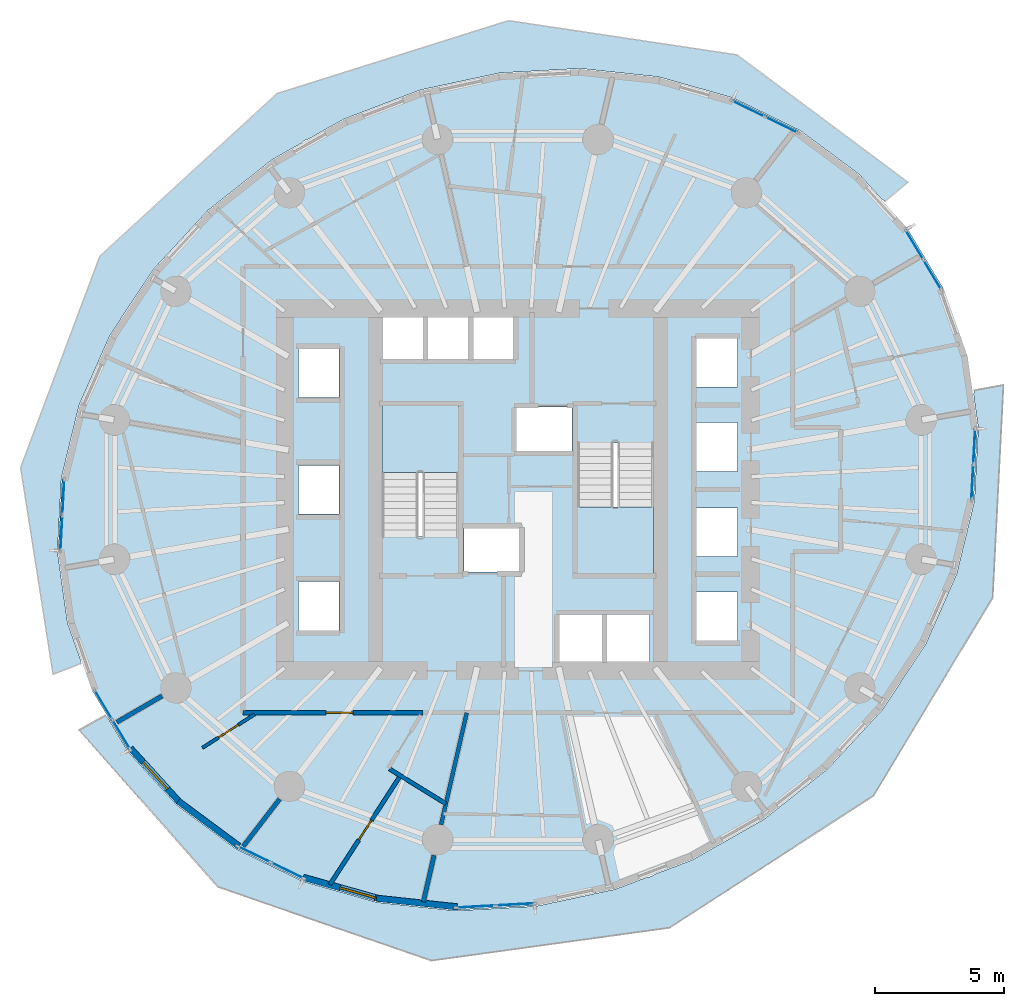
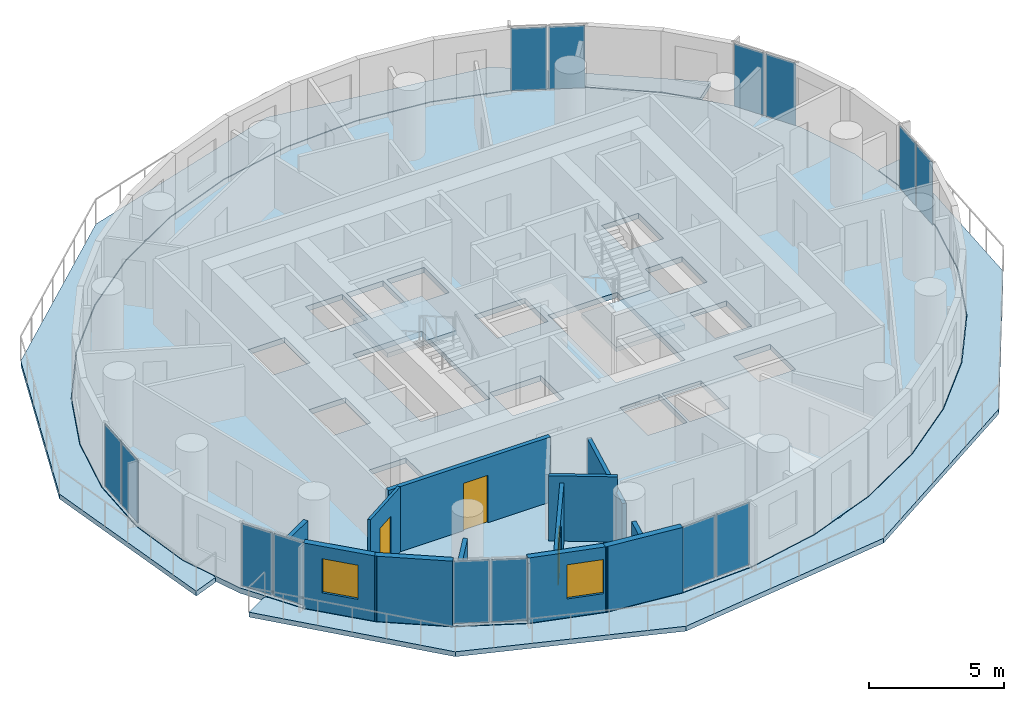
# One storey, part 6 of 15: 14 plates, 12 walls, 5 slabs, 3 doors, 2 windows, 5 openings, 9 elements without a shape of their own.
"""IFC4 building model written with IfcOpenShell, lengths in metres."""

from ifc_helpers import new_model, si_unit, direction, frame, frame_2d, origin, origin_2d, place, context, subcontext, project, spatial, polyline, rectangle, outline, extrude, material, layer, layer_set, type_object, element, fill, aggregate, save


model = new_model("IFC4")

# Units and contexts
model_context = context("Model", 3, precision=1e-05, world=origin(), true_north=direction((0.0, 1.0)))
body_context = subcontext(model_context, "Body", "Model", "MODEL_VIEW")
ifc_project = project(units=[si_unit("LENGTHUNIT", "METRE"), si_unit("AREAUNIT", "SQUARE_METRE"), si_unit("VOLUMEUNIT", "CUBIC_METRE"), si_unit("PLANEANGLEUNIT", "RADIAN"), si_unit("MASSUNIT", "GRAM", prefix="KILO")], contexts=[model_context])

# Site, building, storey
site_placement = place(None, origin())
site = spatial("IfcSite", under=ifc_project, at=site_placement, CompositionType="ELEMENT")
building_placement = place(site_placement, origin())
building = spatial("IfcBuilding", under=site, at=building_placement, Name="Veldorim Arch Residences", CompositionType="ELEMENT")
storey_placement = place(building_placement, frame((0.0, 0.0, 106.080078125)))
storey = spatial("IfcBuildingStorey", under=building, at=storey_placement, Name="L31", CompositionType="ELEMENT", Elevation=106.080078125)

# Slabs
ifc_material_1 = material(Name="Concrete C40/50", Category="concrete")
ifc_layer_1 = layer(ifc_material_1, 0.219970703125, Name="Planted Crescent Cantilever Balcony Slab 220")
ifc_layer_set_1 = layer_set([ifc_layer_1], Name="Concrete C40/50")
slab_type_1 = type_object("IfcSlabType", Name="Planted Crescent Cantilever Balcony Slab 220", PredefinedType="FLOOR", material=ifc_layer_set_1)
slab_1_placement = place(storey_placement, frame((0.0, 0.0, -0.219970703125)))
element("IfcSlab", 1, at=slab_1_placement, inside=storey, type_object=slab_type_1, Name="L31 planted crescent balcony slab A", PredefinedType="FLOOR", context=body_context, shape_type="SweptSolid", body=[
    extrude(outline(polyline([(46.057373046875, 35.239501953125), (45.190673828125, 36.190185546875), (42.910888671875, 37.880615234375), (40.2998046875, 39.149169921875), (37.436767578125, 39.957275390625), (34.408447265625, 40.280517578125), (31.307373046875, 40.109375), (28.227294921875, 39.44873046875), (25.261962890625, 38.319091796875), (23.923095703125, 37.56005859375), (23.7548828125, 37.504638671875), (23.631103515625, 37.39453125), (22.501220703125, 36.754150390625), (20.029052734375, 34.802001953125), (17.92041015625, 32.521728515625), (16.2392578125, 29.982421875), (15.036865234375, 27.26123046875), (14.35009765625, 24.44091796875), (14.19921875, 21.606689453125), (14.589599609375, 18.84521484375), (15.085205078125, 17.441650390625), (15.100830078125, 17.272705078125), (14.028564453125, 16.857177734375), (12.7744140625, 24.85107421875), (15.839111328125, 33.02880859375), (22.68603515625, 39.3125), (31.63671875, 42.13330078125), (40.476318359375, 40.808349609375), (47.08251953125, 35.884765625), (46.20166015625, 35.1455078125), (46.057373046875, 35.239501953125)])), origin(), (0.0, 0.0, 1.0), 0.219970703125),
])
slab_2_placement = place(storey_placement, frame((0.0, 0.0, -0.219970703125)))
element("IfcSlab", 2, at=slab_2_placement, inside=storey, type_object=slab_type_1, Name="L31 planted crescent balcony slab B", PredefinedType="FLOOR", context=body_context, shape_type="SweptSolid", body=[
    extrude(outline(polyline([(16.164794921875, 15.1474609375), (16.930419921875, 13.87109375), (18.809326171875, 11.809814453125), (21.089111328125, 10.119384765625), (23.7001953125, 8.850830078125), (26.563232421875, 8.042724609375), (29.591552734375, 7.719482421875), (32.692626953125, 7.890625), (35.772705078125, 8.55126953125), (36.986083984375, 9.013671875), (37.14990234375, 9.038818359375), (37.2998046875, 9.133056640625), (38.738037109375, 9.680908203125), (41.498779296875, 11.245849609375), (43.970947265625, 13.197998046875), (46.07958984375, 15.478271484375), (47.7607421875, 18.017578125), (48.963134765625, 20.73876953125), (49.64990234375, 23.55908203125), (49.80078125, 26.393310546875), (49.62060546875, 27.6669921875), (49.640380859375, 27.838134765625), (50.771484375, 28.045654296875), (50.35400390625, 19.81689453125), (45.740234375, 12.16162109375), (37.861572265625, 7.06298828125), (28.655517578125, 5.79248046875), (20.40087890625, 8.64404296875), (15.041015625, 14.705810546875), (16.044677734375, 15.26708984375), (16.164794921875, 15.1474609375)])), origin(), (0.0, 0.0, 1.0), 0.219970703125),
])

# Stair, slab
ifc_material_2 = material(Name="Concrete C40/50", Category="concrete")
stair_type = type_object("IfcStairType", Name="Reinforced Concrete Dogleg Exit Staircase", PredefinedType="HALF_TURN_STAIR", material=ifc_material_2)
stair_1_placement = place(storey_placement, origin())
stair_1 = element("IfcStair", 3, at=stair_1_placement, inside=storey, type_object=stair_type, Name="L31 Exit Staircase ST-1", PredefinedType="HALF_TURN_STAIR")
ifc_material_3 = material(Name="Concrete C40/50", Category="concrete")
ifc_layer_2 = layer(ifc_material_3, 0.199951171875, Name="Reinforced Concrete Stair Landing 200")
ifc_layer_set_2 = layer_set([ifc_layer_2], Name="Concrete C40/50")
slab_type_2 = type_object("IfcSlabType", Name="Reinforced Concrete Stair Landing 200", PredefinedType="LANDING", material=ifc_layer_set_2)
slab_3_placement = place(storey_placement, frame((0.0, 0.0, 1.39990234375)))
slab_3 = element("IfcSlab", 4, at=slab_3_placement, type_object=slab_type_2, Name="ST-1 landing 1", PredefinedType="LANDING", context=body_context, shape_type="SweptSolid", body=[
    extrude(outline(polyline([(29.7099609375, 24.669921875), (29.7099609375, 27.25), (26.75, 27.25), (26.75, 24.669921875), (29.7099609375, 24.669921875)])), origin(), (0.0, 0.0, 1.0), 0.199951171875),
])
aggregate(stair_1, [slab_3])

stair_2_placement = place(storey_placement, origin())
stair_2 = element("IfcStair", 5, at=stair_2_placement, inside=storey, type_object=stair_type, Name="L31 Exit Staircase ST-2", PredefinedType="HALF_TURN_STAIR")
slab_4_placement = place(storey_placement, frame((0.0, 0.0, 1.39990234375)))
slab_4 = element("IfcSlab", 6, at=slab_4_placement, type_object=slab_type_2, Name="ST-2 landing 1", PredefinedType="LANDING", context=body_context, shape_type="SweptSolid", body=[
    extrude(outline(polyline([(34.2900390625, 23.330078125), (34.2900390625, 20.75), (37.25, 20.75), (37.25, 23.330078125), (34.2900390625, 23.330078125)])), origin(), (0.0, 0.0, 1.0), 0.199951171875),
])
aggregate(stair_2, [slab_4])

# Slab
ifc_material_4 = material(Name="Concrete C40/50", Category="concrete")
ifc_layer_3 = layer(ifc_material_4, 0.239990234375, Name="Typical Residential Floor Slab 240")
ifc_layer_set_3 = layer_set([ifc_layer_3], Name="Concrete C40/50")
slab_type_3 = type_object("IfcSlabType", Name="Typical Residential Floor Slab 240", PredefinedType="FLOOR", material=ifc_layer_set_3)
slab_5_placement = place(storey_placement, frame((0.0, 0.0, -0.239990234375)))
element("IfcSlab", 7, at=slab_5_placement, inside=storey, type_object=slab_type_3, Name="L31 tower structural floor slab", PredefinedType="FLOOR", context=body_context, shape_type="SweptSolid", body=[
    extrude(outline(polyline([(48.468017578125, 31.749267578125), (47.049560546875, 34.114013671875), (45.173828125, 36.17138671875), (42.89794921875, 37.859130859375), (40.291015625, 39.125732421875), (37.431884765625, 39.9326171875), (34.407958984375, 40.255615234375), (31.310791015625, 40.08447265625), (28.234619140625, 39.4248046875), (25.272705078125, 38.29638671875), (22.515380859375, 36.7333984375), (20.046142578125, 34.78369140625), (17.940185546875, 32.50634765625), (16.26123046875, 29.970458984375), (15.060791015625, 27.253173828125), (14.374755859375, 24.43701171875), (14.224365234375, 21.60791015625), (14.614013671875, 18.85107421875), (15.531982421875, 16.250732421875), (16.950439453125, 13.885986328125), (18.826171875, 11.82861328125), (21.10205078125, 10.140869140625), (23.708984375, 8.874267578125), (26.568115234375, 8.0673828125), (29.592041015625, 7.744384765625), (32.689208984375, 7.91552734375), (35.765380859375, 8.5751953125), (38.727294921875, 9.70361328125), (41.484619140625, 11.2666015625), (43.953857421875, 13.21630859375), (46.059814453125, 15.49365234375), (47.73876953125, 18.029541015625), (48.939208984375, 20.746826171875), (49.625244140625, 23.56298828125), (49.775634765625, 26.39208984375), (49.385986328125, 29.14892578125), (48.468017578125, 31.749267578125)]), holes=[polyline([(23.510009765625, 20.43994140625), (25.090087890625, 20.43994140625), (25.090087890625, 18.56005859375), (23.510009765625, 18.56005859375), (23.510009765625, 20.43994140625)]), polyline([(29.909912109375, 22.544921875), (32.090087890625, 22.544921875), (32.090087890625, 20.81494140625), (29.909912109375, 20.81494140625), (29.909912109375, 22.544921875)]), polyline([(23.510009765625, 24.93994140625), (25.090087890625, 24.93994140625), (25.090087890625, 23.06005859375), (23.510009765625, 23.06005859375), (23.510009765625, 24.93994140625)]), polyline([(26.75, 27.25), (29.7099609375, 27.25), (29.7099609375, 22.195068359375), (26.75, 22.195068359375), (26.75, 27.25)]), polyline([(23.510009765625, 29.43994140625), (25.090087890625, 29.43994140625), (25.090087890625, 27.56005859375), (23.510009765625, 27.56005859375), (23.510009765625, 29.43994140625)]), polyline([(26.760009765625, 30.7900390625), (28.340087890625, 30.7900390625), (28.340087890625, 28.909912109375), (26.760009765625, 28.909912109375), (26.760009765625, 30.7900390625)]), polyline([(28.510009765625, 30.7900390625), (30.090087890625, 30.7900390625), (30.090087890625, 28.909912109375), (28.510009765625, 28.909912109375), (28.510009765625, 30.7900390625)]), polyline([(30.260009765625, 30.7900390625), (31.840087890625, 30.7900390625), (31.840087890625, 28.909912109375), (30.260009765625, 28.909912109375), (30.260009765625, 30.7900390625)]), polyline([(33.610107421875, 19.2900390625), (35.2900390625, 19.2900390625), (35.2900390625, 17.2099609375), (33.610107421875, 17.2099609375), (33.610107421875, 19.2900390625)]), polyline([(35.409912109375, 19.2900390625), (37.090087890625, 19.2900390625), (37.090087890625, 17.2099609375), (35.409912109375, 17.2099609375), (35.409912109375, 19.2900390625)]), polyline([(38.909912109375, 20.0400390625), (40.489990234375, 20.0400390625), (40.489990234375, 18.159912109375), (38.909912109375, 18.159912109375), (38.909912109375, 20.0400390625)]), polyline([(38.909912109375, 23.2900390625), (40.489990234375, 23.2900390625), (40.489990234375, 21.409912109375), (38.909912109375, 21.409912109375), (38.909912109375, 23.2900390625)]), polyline([(34.2900390625, 25.804931640625), (37.25, 25.804931640625), (37.25, 20.75), (34.2900390625, 20.75), (34.2900390625, 25.804931640625)]), polyline([(38.909912109375, 26.590087890625), (40.489990234375, 26.590087890625), (40.489990234375, 24.7099609375), (38.909912109375, 24.7099609375), (38.909912109375, 26.590087890625)]), polyline([(31.909912109375, 27.18505859375), (34.090087890625, 27.18505859375), (34.090087890625, 25.455078125), (31.909912109375, 25.455078125), (31.909912109375, 27.18505859375)]), polyline([(38.909912109375, 29.840087890625), (40.489990234375, 29.840087890625), (40.489990234375, 27.9599609375), (38.909912109375, 27.9599609375), (38.909912109375, 29.840087890625)])]), origin(), (0.0, 0.0, 1.0), 0.239990234375),
])

# Curtain wall, plates
ifc_material_5 = material(Name="Aluminium", Category="aluminium")
curtain_wall_type = type_object("IfcCurtainWallType", Name="Zone 2 Solar-Control Unitised Curtain Wall", PredefinedType="NOTDEFINED", material=ifc_material_5)
curtain_wall_1_placement = place(storey_placement, origin())
curtain_wall_1 = element("IfcCurtainWall", 8, at=curtain_wall_1_placement, inside=storey, type_object=curtain_wall_type, Name="L31 unitised curtain wall bay 01", PredefinedType="NOTDEFINED")
ifc_material_6 = material(Name="Laminated Low-E Glass", Category="glass")
ifc_layer_4 = layer(ifc_material_6, 0.02587890625, Name="Zone 2 Solar-Control Unitised Curtain Wall Glazing Panel 26")
ifc_layer_set_4 = layer_set([ifc_layer_4], Name="Laminated Low-E Glass")
plate_type = type_object("IfcPlateType", Name="Zone 2 Solar-Control Unitised Curtain Wall Glazing Panel 26", PredefinedType="CURTAIN_PANEL", material=ifc_layer_set_4)
plate_1_placement = place(storey_placement, frame((47.335205078125, 33.462646484375, 0.06494140625), z_axis=(0.0, 0.0, 1.0), x_axis=(0.514367759315, -0.85756971039, 0.0)))
plate_1 = element("IfcPlate", 9, at=plate_1_placement, type_object=plate_type, Name="CW-Z2 panel 1.1", PredefinedType="CURTAIN_PANEL", context=body_context, shape_type="SweptSolid", body=[
    extrude(rectangle(XDim=1.28125, YDim=0.02587890625, at=origin_2d()), origin(), (0.0, 0.0, 1.0), 2.830078125),
])
plate_2_placement = place(storey_placement, frame((48.02783203125, 32.30810546875, 0.06494140625), z_axis=(0.0, 0.0, 1.0), x_axis=(0.514367759315, -0.85756971039, 0.0)))
plate_2 = element("IfcPlate", 10, at=plate_2_placement, type_object=plate_type, Name="CW-Z2 panel 2.1", PredefinedType="CURTAIN_PANEL", context=body_context, shape_type="SweptSolid", body=[
    extrude(rectangle(XDim=1.28125, YDim=0.02587890625, at=origin_2d()), origin(), (0.0, 0.0, 1.0), 2.830078125),
])
aggregate(curtain_wall_1, [plate_1, plate_2])

curtain_wall_2_placement = place(storey_placement, origin())
curtain_wall_2 = element("IfcCurtainWall", 11, at=curtain_wall_2_placement, inside=storey, type_object=curtain_wall_type, Name="L31 unitised curtain wall bay 04", PredefinedType="NOTDEFINED")
plate_3_placement = place(storey_placement, frame((40.91796875, 38.720947265625, 0.06494140625), z_axis=(0.0, 0.0, 1.0), x_axis=(0.899461664946, -0.436999671959, 0.0)))
plate_3 = element("IfcPlate", 12, at=plate_3_placement, type_object=plate_type, Name="CW-Z2 panel 1.1", PredefinedType="CURTAIN_PANEL", context=body_context, shape_type="SweptSolid", body=[
    extrude(rectangle(XDim=1.351806640625, YDim=0.02587890625, at=origin_2d()), origin(), (0.0, 0.0, 1.0), 2.830078125),
])
plate_4_placement = place(storey_placement, frame((42.192138671875, 38.101806640625, 0.06494140625), z_axis=(0.0, 0.0, 1.0), x_axis=(0.899461664946, -0.436999671959, 0.0)))
plate_4 = element("IfcPlate", 13, at=plate_4_placement, type_object=plate_type, Name="CW-Z2 panel 2.1", PredefinedType="CURTAIN_PANEL", context=body_context, shape_type="SweptSolid", body=[
    extrude(rectangle(XDim=1.351806640625, YDim=0.02587890625, at=origin_2d()), origin(), (0.0, 0.0, 1.0), 2.830078125),
])
aggregate(curtain_wall_2, [plate_3, plate_4])

curtain_wall_3_placement = place(storey_placement, origin())
curtain_wall_3 = element("IfcCurtainWall", 14, at=curtain_wall_3_placement, inside=storey, type_object=curtain_wall_type, Name="L31 unitised curtain wall bay 16", PredefinedType="NOTDEFINED")
plate_5_placement = place(storey_placement, frame((14.352783203125, 22.32666015625, 0.06494140625), z_axis=(0.0, 0.0, 1.0), x_axis=(0.053083077429, 0.998590099536, 0.0)))
plate_5 = element("IfcPlate", 15, at=plate_5_placement, type_object=plate_type, Name="CW-Z2 panel 1.1", PredefinedType="CURTAIN_PANEL", context=body_context, shape_type="SweptSolid", body=[
    extrude(rectangle(XDim=1.319091796875, YDim=0.02587890625, at=origin_2d()), origin(), (0.0, 0.0, 1.0), 2.830078125),
])
plate_6_placement = place(storey_placement, frame((14.42626953125, 23.708740234375, 0.06494140625), z_axis=(0.0, 0.0, 1.0), x_axis=(0.053083077429, 0.998590099536, 0.0)))
plate_6 = element("IfcPlate", 16, at=plate_6_placement, type_object=plate_type, Name="CW-Z2 panel 2.1", PredefinedType="CURTAIN_PANEL", context=body_context, shape_type="SweptSolid", body=[
    extrude(rectangle(XDim=1.319091796875, YDim=0.02587890625, at=origin_2d()), origin(), (0.0, 0.0, 1.0), 2.830078125),
])
aggregate(curtain_wall_3, [plate_5, plate_6])

curtain_wall_4_placement = place(storey_placement, origin())
curtain_wall_4 = element("IfcCurtainWall", 17, at=curtain_wall_4_placement, inside=storey, type_object=curtain_wall_type, Name="L31 unitised curtain wall bay 19", PredefinedType="NOTDEFINED")
plate_7_placement = place(storey_placement, frame((16.664794921875, 14.537353515625, 0.06494140625), z_axis=(0.0, 0.0, 1.0), x_axis=(-0.514367759315, 0.85756971039, 0.0)))
plate_7 = element("IfcPlate", 18, at=plate_7_placement, type_object=plate_type, Name="CW-Z2 panel 1.1", PredefinedType="CURTAIN_PANEL", context=body_context, shape_type="SweptSolid", body=[
    extrude(rectangle(XDim=1.28125, YDim=0.02587890625, at=origin_2d()), origin(), (0.0, 0.0, 1.0), 2.830078125),
])
plate_8_placement = place(storey_placement, frame((15.97216796875, 15.69189453125, 0.06494140625), z_axis=(0.0, 0.0, 1.0), x_axis=(-0.514367759315, 0.85756971039, 0.0)))
plate_8 = element("IfcPlate", 19, at=plate_8_placement, type_object=plate_type, Name="CW-Z2 panel 2.1", PredefinedType="CURTAIN_PANEL", context=body_context, shape_type="SweptSolid", body=[
    extrude(rectangle(XDim=1.28125, YDim=0.02587890625, at=origin_2d()), origin(), (0.0, 0.0, 1.0), 2.830078125),
])
aggregate(curtain_wall_4, [plate_7, plate_8])

curtain_wall_5_placement = place(storey_placement, origin())
curtain_wall_5 = element("IfcCurtainWall", 20, at=curtain_wall_5_placement, inside=storey, type_object=curtain_wall_type, Name="L31 unitised curtain wall bay 22", PredefinedType="NOTDEFINED")
plate_9_placement = place(storey_placement, frame((23.08203125, 9.279052734375, 0.06494140625), z_axis=(0.0, 0.0, 1.0), x_axis=(-0.899461664946, 0.436999671959, 0.0)))
plate_9 = element("IfcPlate", 21, at=plate_9_placement, type_object=plate_type, Name="CW-Z2 panel 1.1", PredefinedType="CURTAIN_PANEL", context=body_context, shape_type="SweptSolid", body=[
    extrude(rectangle(XDim=1.351806640625, YDim=0.02587890625, at=origin_2d()), origin(), (0.0, 0.0, 1.0), 2.830078125),
])
plate_10_placement = place(storey_placement, frame((21.807861328125, 9.898193359375, 0.06494140625), z_axis=(0.0, 0.0, 1.0), x_axis=(-0.899461664946, 0.436999671959, 0.0)))
plate_10 = element("IfcPlate", 22, at=plate_10_placement, type_object=plate_type, Name="CW-Z2 panel 2.1", PredefinedType="CURTAIN_PANEL", context=body_context, shape_type="SweptSolid", body=[
    extrude(rectangle(XDim=1.351806640625, YDim=0.02587890625, at=origin_2d()), origin(), (0.0, 0.0, 1.0), 2.830078125),
])
aggregate(curtain_wall_5, [plate_9, plate_10])

curtain_wall_6_placement = place(storey_placement, origin())
curtain_wall_6 = element("IfcCurtainWall", 23, at=curtain_wall_6_placement, inside=storey, type_object=curtain_wall_type, Name="L31 unitised curtain wall bay 25", PredefinedType="NOTDEFINED")
plate_11_placement = place(storey_placement, frame((31.893798828125, 7.961669921875, 0.06494140625), z_axis=(0.0, 0.0, 1.0), x_axis=(-0.998479339649, -0.055127201045, 0.0)))
plate_11 = element("IfcPlate", 24, at=plate_11_placement, type_object=plate_type, Name="CW-Z2 panel 1.1", PredefinedType="CURTAIN_PANEL", context=body_context, shape_type="SweptSolid", body=[
    extrude(rectangle(XDim=1.453369140625, YDim=0.02587890625, at=origin_2d()), origin(), (0.0, 0.0, 1.0), 2.830078125),
])
plate_12_placement = place(storey_placement, frame((30.377685546875, 7.8779296875, 0.06494140625), z_axis=(0.0, 0.0, 1.0), x_axis=(-0.998479339649, -0.055127201045, 0.0)))
plate_12 = element("IfcPlate", 25, at=plate_12_placement, type_object=plate_type, Name="CW-Z2 panel 2.1", PredefinedType="CURTAIN_PANEL", context=body_context, shape_type="SweptSolid", body=[
    extrude(rectangle(XDim=1.453369140625, YDim=0.02587890625, at=origin_2d()), origin(), (0.0, 0.0, 1.0), 2.830078125),
])
aggregate(curtain_wall_6, [plate_11, plate_12])

curtain_wall_7_placement = place(storey_placement, origin())
curtain_wall_7 = element("IfcCurtainWall", 26, at=curtain_wall_7_placement, inside=storey, type_object=curtain_wall_type, Name="L31 unitised curtain wall bay 34", PredefinedType="NOTDEFINED")
plate_13_placement = place(storey_placement, frame((49.647216796875, 25.67333984375, 0.06494140625), z_axis=(0.0, 0.0, 1.0), x_axis=(-0.053083077429, -0.998590099536, 0.0)))
plate_13 = element("IfcPlate", 27, at=plate_13_placement, type_object=plate_type, Name="CW-Z2 panel 1.1", PredefinedType="CURTAIN_PANEL", context=body_context, shape_type="SweptSolid", body=[
    extrude(rectangle(XDim=1.319091796875, YDim=0.02587890625, at=origin_2d()), origin(), (0.0, 0.0, 1.0), 2.830078125),
])
plate_14_placement = place(storey_placement, frame((49.57373046875, 24.291259765625, 0.06494140625), z_axis=(0.0, 0.0, 1.0), x_axis=(-0.053083077429, -0.998590099536, 0.0)))
plate_14 = element("IfcPlate", 28, at=plate_14_placement, type_object=plate_type, Name="CW-Z2 panel 2.1", PredefinedType="CURTAIN_PANEL", context=body_context, shape_type="SweptSolid", body=[
    extrude(rectangle(XDim=1.319091796875, YDim=0.02587890625, at=origin_2d()), origin(), (0.0, 0.0, 1.0), 2.830078125),
])
aggregate(curtain_wall_7, [plate_13, plate_14])

# Wall, opening, door
ifc_material_7 = material(Name="Acoustic Gypsum Board", Category="gypsum")
ifc_layer_5 = layer(ifc_material_7, 0.125, Name="Acoustic Stud Room Partition Wall 125")
ifc_layer_set_5 = layer_set([ifc_layer_5], Name="Acoustic Gypsum Board")
wall_type_1 = type_object("IfcWallType", Name="Acoustic Stud Room Partition Wall 125", PredefinedType="PARTITIONING", material=ifc_layer_set_5)
wall_1_placement = place(storey_placement, frame((19.80224609375, 14.01416015625, 0.0), z_axis=(0.0, 0.0, 1.0), x_axis=(0.841349696578, 0.540491154477, 0.0)))
wall_1 = element("IfcWall", 29, at=wall_1_placement, inside=storey, type_object=wall_type_1, Name="L31 interior wall WL-RES-L31-033", PredefinedType="PARTITIONING", context=body_context, shape_type="SweptSolid", body=[
    extrude(rectangle(XDim=2.408447265625, YDim=0.125, at=frame_2d((1.2041015625, 0.0))), origin(), (0.0, 0.0, 1.0), 2.954833984375),
])
opening_1_placement = place(wall_1_placement, frame((0.754150390625, 0.0, 0.0)))
opening_1 = element("IfcOpeningElement", 30, at=opening_1_placement, cuts=wall_1, Name="Opening DR-INT", PredefinedType="OPENING", context=body_context, shape_type="SweptSolid", body=[
    extrude(rectangle(XDim=0.89990234375, YDim=2.10009765625, at=frame_2d((0.449951171875, 1.050048828125))), frame((0.0, 0.072509765625, 0.0), z_axis=(0.0, -1.0, 0.0), x_axis=(1.0, 0.0, 0.0)), (0.0, 0.0, 1.0), 0.14501953125),
])
ifc_material_8 = material(Name="Engineered Timber", Category="wood")
door_type_1 = type_object("IfcDoorType", Name="Apartment Internal Room Timber Door 900x2100", OperationType="SINGLE_SWING_LEFT", PredefinedType="DOOR", material=ifc_material_8)
door_1_placement = place(opening_1_placement, origin())
door_1 = element("IfcDoor", 31, at=door_1_placement, inside=storey, type_object=door_type_1, Name="L31 interior door DR-RES-L31-021", OperationType="SINGLE_SWING_LEFT", OverallHeight=2.10009765625, OverallWidth=0.89990234375, PredefinedType="DOOR", context=body_context, shape_type="SweptSolid", body=[
    extrude(rectangle(XDim=0.89990234375, YDim=2.10009765625, at=frame_2d((0.449951171875, 1.050048828125))), frame((0.0, 0.02490234375, 0.0), z_axis=(0.0, -1.0, 0.0), x_axis=(1.0, 0.0, 0.0)), (0.0, 0.0, 1.0), 0.050048828125),
])
fill(opening_1, door_1)

# Walls
ifc_material_9 = material(Name="Lightweight Masonry Block & Gypsum", Category="masonry")
ifc_layer_6 = layer(ifc_material_9, 0.179931640625, Name="Compartment & Corridor Fire-Rated Party Wall 180")
ifc_layer_set_6 = layer_set([ifc_layer_6], Name="Lightweight Masonry Block & Gypsum")
wall_type_2 = type_object("IfcWallType", Name="Compartment & Corridor Fire-Rated Party Wall 180", PredefinedType="PARTITIONING", material=ifc_layer_set_6)
wall_2_placement = place(storey_placement, frame((18.243408203125, 16.022216796875, 0.0), z_axis=(0.0, 0.0, 1.0), x_axis=(-0.865046864493, -0.501691062539, 0.0)))
element("IfcWall", 32, at=wall_2_placement, inside=storey, type_object=wall_type_2, Name="L31 interior wall WL-PIER-L31-10", PredefinedType="PARTITIONING", context=body_context, shape_type="SweptSolid", body=[
    extrude(rectangle(XDim=2.02783203125, YDim=0.179931640625, at=frame_2d((1.013916015625, 0.0))), origin(), (0.0, 0.0, 1.0), 2.260498046875),
])
wall_3_placement = place(storey_placement, frame((22.7880859375, 12.034423828125, 0.0), z_axis=(0.0, 0.0, 1.0), x_axis=(-0.610007255548, -0.792395827967, 0.0)))
element("IfcWall", 33, at=wall_3_placement, inside=storey, type_object=wall_type_2, Name="L31 interior wall WL-PIER-L31-11", PredefinedType="PARTITIONING", context=body_context, shape_type="SweptSolid", body=[
    extrude(rectangle(XDim=2.3076171875, YDim=0.179931640625, at=frame_2d((1.15380859375, 0.0))), origin(), (0.0, 0.0, 1.0), 2.260498046875),
])
wall_4_placement = place(storey_placement, frame((28.759521484375, 9.86083984375, 0.0), z_axis=(0.0, 0.0, 1.0), x_axis=(-0.2234127464, -0.974723932581, 0.0)))
element("IfcWall", 34, at=wall_4_placement, inside=storey, type_object=wall_type_2, Name="L31 interior wall WL-PIER-L31-12", PredefinedType="PARTITIONING", context=body_context, shape_type="SweptSolid", body=[
    extrude(rectangle(XDim=1.848876953125, YDim=0.179931640625, at=frame_2d((0.92431640625, 0.0))), origin(), (0.0, 0.0, 1.0), 2.260498046875),
])

# Wall, opening, door
wall_5_placement = place(storey_placement, frame((28.3251953125, 15.3701171875, 0.0), z_axis=(0.0, 0.0, 1.0), x_axis=(-1.0, 0.0, 0.0)))
wall_5 = element("IfcWall", 35, at=wall_5_placement, inside=storey, type_object=wall_type_2, Name="L31 interior wall WL-RES-L31-010", PredefinedType="PARTITIONING", context=body_context, shape_type="SweptSolid", body=[
    extrude(rectangle(XDim=6.955078125, YDim=0.179931640625, at=frame_2d((3.4775390625, 0.0))), origin(), (0.0, 0.0, 1.0), 2.954833984375),
])
opening_2_placement = place(wall_5_placement, frame((2.69970703125, 0.0, 0.0)))
opening_2 = element("IfcOpeningElement", 36, at=opening_2_placement, cuts=wall_5, Name="Opening DR-FLT", PredefinedType="OPENING", context=body_context, shape_type="SweptSolid", body=[
    extrude(rectangle(XDim=1.050048828125, YDim=2.14990234375, at=frame_2d((0.52490234375, 1.074951171875))), frame((0.0, 0.099853515625, 0.0), z_axis=(0.0, -1.0, 0.0), x_axis=(1.0, 0.0, 0.0)), (0.0, 0.0, 1.0), 0.199951171875),
])
ifc_material_10 = material(Name="Fire-Rated Timber", Category="wood")
door_type_2 = type_object("IfcDoorType", Name="Apartment Entrance Solid-Core Fire Door 1050x2150", OperationType="SINGLE_SWING_LEFT", PredefinedType="DOOR", material=ifc_material_10)
door_2_placement = place(opening_2_placement, origin())
door_2 = element("IfcDoor", 37, at=door_2_placement, inside=storey, type_object=door_type_2, Name="L31 interior door DR-RES-L31-019", OperationType="SINGLE_SWING_LEFT", OverallHeight=2.14990234375, OverallWidth=1.050048828125, PredefinedType="DOOR", context=body_context, shape_type="SweptSolid", body=[
    extrude(rectangle(XDim=1.050048828125, YDim=2.14990234375, at=frame_2d((0.52490234375, 1.074951171875))), frame((0.0, 0.02490234375, 0.0), z_axis=(0.0, -1.0, 0.0), x_axis=(1.0, 0.0, 0.0)), (0.0, 0.0, 1.0), 0.050048828125),
])
fill(opening_2, door_2)

# Wall, opening, window
ifc_material_11 = material(Name="Precast concrete C40/50", Category="concrete")
ifc_layer_7 = layer(ifc_material_11, 0.25, Name="Tower Terracotta Spandrel & Pier Wall 250")
ifc_layer_set_7 = layer_set([ifc_layer_7], Name="Precast concrete C40/50")
wall_type_3 = type_object("IfcWallType", Name="Tower Terracotta Spandrel & Pier Wall 250", PredefinedType="SOLIDWALL", material=ifc_layer_set_7)
wall_6_placement = place(storey_placement, frame((18.948974609375, 11.87939453125, 0.0), z_axis=(0.0, 0.0, 1.0), x_axis=(-0.673691100196, 0.739013059098, 0.0)))
wall_6 = element("IfcWall", 38, at=wall_6_placement, inside=storey, type_object=wall_type_3, Name="L31 terracotta facade wall 20", PredefinedType="SOLIDWALL", context=body_context, shape_type="SweptSolid", body=[
    extrude(rectangle(XDim=2.8740234375, YDim=0.25, at=frame_2d((1.43701171875, 0.0))), origin(), (0.0, 0.0, 1.0), 2.9599609375),
])
opening_3_placement = place(wall_6_placement, frame((0.737060546875, 0.0, 0.85009765625)))
opening_3 = element("IfcOpeningElement", 39, at=opening_3_placement, cuts=wall_6, Name="Opening WN-02", PredefinedType="OPENING", context=body_context, shape_type="SweptSolid", body=[
    extrude(rectangle(XDim=1.39990234375, YDim=1.550048828125, at=frame_2d((0.699951171875, 0.77490234375))), frame((0.0, 0.135009765625, 0.0), z_axis=(0.0, -1.0, 0.0), x_axis=(1.0, 0.0, 0.0)), (0.0, 0.0, 1.0), 0.27001953125),
])
ifc_material_12 = material(Name="Laminated Low-E Glass", Category="glass")
window_type = type_object("IfcWindowType", Name="Residential Casement Window 1400x1550", PartitioningType="SINGLE_PANEL", PredefinedType="WINDOW", material=ifc_material_12)
window_1_placement = place(opening_3_placement, origin())
window_1 = element("IfcWindow", 40, at=window_1_placement, inside=storey, type_object=window_type, Name="L31 solar-control facade window 20", OverallHeight=1.550048828125, OverallWidth=1.39990234375, PartitioningType="SINGLE_PANEL", PredefinedType="WINDOW", context=body_context, shape_type="SweptSolid", body=[
    extrude(rectangle(XDim=1.39990234375, YDim=1.550048828125, at=frame_2d((0.699951171875, 0.77490234375))), frame((0.0, 0.030029296875, 0.0), z_axis=(0.0, -1.0, 0.0), x_axis=(1.0, 0.0, 0.0)), (0.0, 0.0, 1.0), 0.06005859375),
])
fill(opening_3, window_1)

# Wall
wall_7_placement = place(storey_placement, frame((21.212646484375, 10.214599609375, 0.0), z_axis=(0.0, 0.0, 1.0), x_axis=(-0.803255279066, 0.595634918933, 0.0)))
element("IfcWall", 41, at=wall_7_placement, inside=storey, type_object=wall_type_3, Name="L31 terracotta facade wall 21", PredefinedType="SOLIDWALL", context=body_context, shape_type="SweptSolid", body=[
    extrude(rectangle(XDim=2.92333984375, YDim=0.25, at=frame_2d((1.461669921875, 0.0))), origin(), (0.0, 0.0, 1.0), 2.9599609375),
])

# Wall, opening, window
wall_8_placement = place(storey_placement, frame((26.6455078125, 8.17529296875, 0.0), z_axis=(0.0, 0.0, 1.0), x_axis=(-0.962391946781, 0.271664758059, 0.0)))
wall_8 = element("IfcWall", 42, at=wall_8_placement, inside=storey, type_object=wall_type_3, Name="L31 terracotta facade wall 23", PredefinedType="SOLIDWALL", context=body_context, shape_type="SweptSolid", body=[
    extrude(rectangle(XDim=3.06103515625, YDim=0.25, at=frame_2d((1.530517578125, 0.0))), origin(), (0.0, 0.0, 1.0), 2.9599609375),
])
opening_4_placement = place(wall_8_placement, frame((0.175048828125, 0.0, 0.85009765625)))
opening_4 = element("IfcOpeningElement", 43, at=opening_4_placement, cuts=wall_8, Name="Opening WN-02", PredefinedType="OPENING", context=body_context, shape_type="SweptSolid", body=[
    extrude(rectangle(XDim=1.39990234375, YDim=1.550048828125, at=frame_2d((0.699951171875, 0.77490234375))), frame((0.0, 0.135009765625, 0.0), z_axis=(0.0, -1.0, 0.0), x_axis=(1.0, 0.0, 0.0)), (0.0, 0.0, 1.0), 0.27001953125),
])
window_2_placement = place(opening_4_placement, origin())
window_2 = element("IfcWindow", 44, at=window_2_placement, inside=storey, type_object=window_type, Name="L31 solar-control facade window 23", OverallHeight=1.550048828125, OverallWidth=1.39990234375, PartitioningType="SINGLE_PANEL", PredefinedType="WINDOW", context=body_context, shape_type="SweptSolid", body=[
    extrude(rectangle(XDim=1.39990234375, YDim=1.550048828125, at=frame_2d((0.699951171875, 0.77490234375))), frame((0.0, 0.030029296875, 0.0), z_axis=(0.0, -1.0, 0.0), x_axis=(1.0, 0.0, 0.0)), (0.0, 0.0, 1.0), 0.06005859375),
])
fill(opening_4, window_2)

# Walls
wall_9_placement = place(storey_placement, frame((29.650146484375, 7.864013671875, 0.0), z_axis=(0.0, 0.0, 1.0), x_axis=(-0.994353607356, 0.106117404502, 0.0)))
element("IfcWall", 45, at=wall_9_placement, inside=storey, type_object=wall_type_3, Name="L31 terracotta facade wall 24", PredefinedType="SOLIDWALL", context=body_context, shape_type="SweptSolid", body=[
    extrude(rectangle(XDim=3.131103515625, YDim=0.25, at=frame_2d((1.5654296875, 0.0))), origin(), (0.0, 0.0, 1.0), 2.9599609375),
])
ifc_material_13 = material(Name="Moisture-Resistant Gypsum & Stud", Category="gypsum")
ifc_layer_8 = layer(ifc_material_13, 0.159912109375, Name="Wet-Area Moisture-Resistant Plumbing Wall 160")
ifc_layer_set_8 = layer_set([ifc_layer_8], Name="Moisture-Resistant Gypsum & Stud")
wall_type_4 = type_object("IfcWallType", Name="Wet-Area Moisture-Resistant Plumbing Wall 160", PredefinedType="PLUMBINGWALL", material=ifc_layer_set_8)
wall_10_placement = place(storey_placement, frame((29.02978515625, 11.04052734375, 0.0), z_axis=(0.0, 0.0, 1.0), x_axis=(0.223478419757, 0.974708877513, 0.0)))
element("IfcWall", 46, at=wall_10_placement, inside=storey, type_object=wall_type_4, Name="L31 interior wall WL-RES-L31-015", PredefinedType="PLUMBINGWALL", context=body_context, shape_type="SweptSolid", body=[
    extrude(rectangle(XDim=4.44189453125, YDim=0.159912109375, at=frame_2d((2.220947265625, 0.0))), origin(), (0.0, 0.0, 1.0), 2.260498046875),
])

# Wall, opening, door
wall_11_placement = place(storey_placement, frame((27.457763671875, 12.93994140625, 0.0), z_axis=(0.0, 0.0, 1.0), x_axis=(-0.543424886613, -0.839457796801, 0.0)))
wall_11 = element("IfcWall", 47, at=wall_11_placement, inside=storey, type_object=wall_type_4, Name="L31 interior wall WL-RES-L31-032", PredefinedType="PLUMBINGWALL", context=body_context, shape_type="SweptSolid", body=[
    extrude(rectangle(XDim=5.01416015625, YDim=0.159912109375, at=frame_2d((2.507080078125, 0.0))), origin(), (0.0, 0.0, 1.0), 2.641357421875),
])
opening_5_placement = place(wall_11_placement, frame((2.056884765625, 0.0, 0.0)))
opening_5 = element("IfcOpeningElement", 48, at=opening_5_placement, cuts=wall_11, Name="Opening DR-WC", PredefinedType="OPENING", context=body_context, shape_type="SweptSolid", body=[
    extrude(rectangle(XDim=0.89990234375, YDim=2.10009765625, at=frame_2d((0.449951171875, 1.050048828125))), frame((0.0, 0.08984375, 0.0), z_axis=(0.0, -1.0, 0.0), x_axis=(1.0, 0.0, 0.0)), (0.0, 0.0, 1.0), 0.179931640625),
])
ifc_material_14 = material(Name="Laminate Timber", Category="wood")
door_type_3 = type_object("IfcDoorType", Name="Bathroom & Accessible WC Moisture-Sealed Door 900x2100", OperationType="SINGLE_SWING_LEFT", PredefinedType="DOOR", material=ifc_material_14)
door_3_placement = place(opening_5_placement, origin())
door_3 = element("IfcDoor", 49, at=door_3_placement, inside=storey, type_object=door_type_3, Name="L31 interior door DR-RES-L31-020", OperationType="SINGLE_SWING_RIGHT", OverallHeight=2.10009765625, OverallWidth=0.89990234375, PredefinedType="DOOR", context=body_context, shape_type="SweptSolid", body=[
    extrude(rectangle(XDim=0.89990234375, YDim=2.10009765625, at=frame_2d((0.449951171875, 1.050048828125))), frame((0.0, 0.02490234375, 0.0), z_axis=(0.0, -1.0, 0.0), x_axis=(1.0, 0.0, 0.0)), (0.0, 0.0, 1.0), 0.050048828125),
])
fill(opening_5, door_3)

# Wall
wall_12_placement = place(storey_placement, frame((27.03759765625, 13.19873046875, 0.0), z_axis=(0.0, 0.0, 1.0), x_axis=(0.851314293413, -0.524656052887, 0.0)))
element("IfcWall", 50, at=wall_12_placement, inside=storey, type_object=wall_type_4, Name="L31 interior wall WL-RES-L31-035", PredefinedType="PLUMBINGWALL", context=body_context, shape_type="SweptSolid", body=[
    extrude(rectangle(XDim=2.559814453125, YDim=0.159912109375, at=frame_2d((1.27978515625, 0.0))), origin(), (0.0, 0.0, 1.0), 2.954833984375),
])

save(model, "model.ifc")
